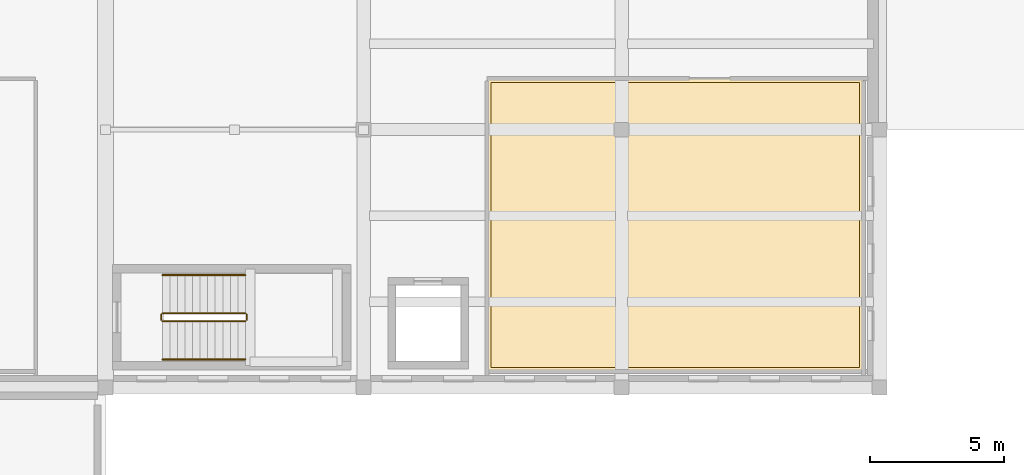
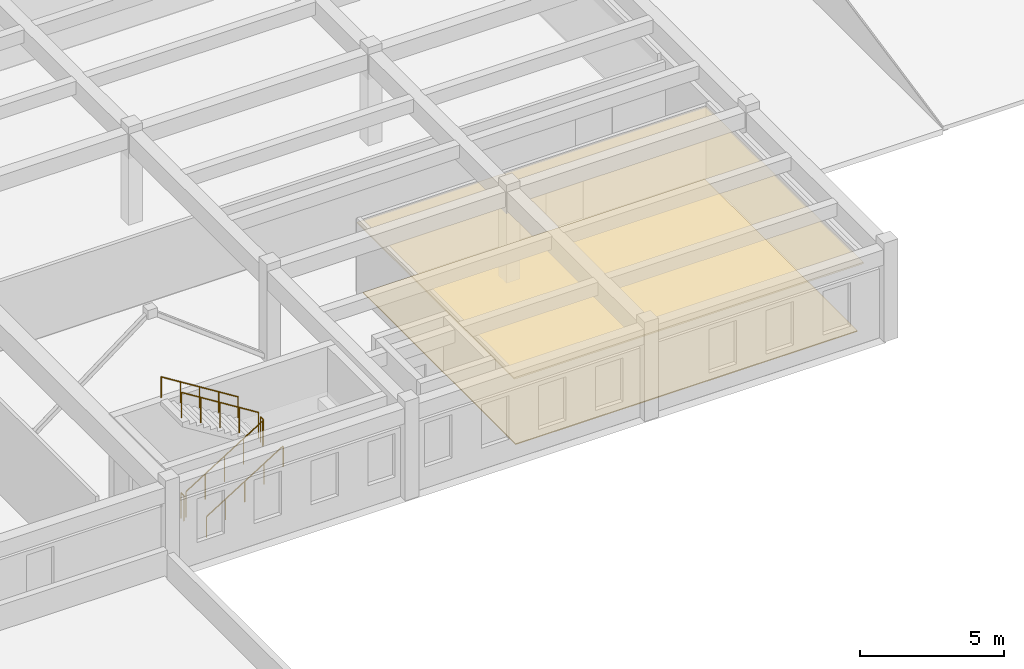
# One storey, part 35 of 46: 6 railings, 2 coverings.
"""IFC4 building model written with IfcOpenShell, lengths in metres."""

from ifc_helpers import new_model, si_unit, direction, frame, origin, origin_2d, place, context, subcontext, project, spatial, polyline, circle, outline, extrude, material, layer, layer_set, type_object, element, save


model = new_model("IFC4")

# Units and contexts
model_context = context("Model", 3, precision=1e-05, world=origin(), true_north=direction((0.0, 1.0)))
body_context = subcontext(model_context, "Body", "Model", "MODEL_VIEW")
ifc_project = project(units=[si_unit("LENGTHUNIT", "METRE"), si_unit("AREAUNIT", "SQUARE_METRE"), si_unit("VOLUMEUNIT", "CUBIC_METRE"), si_unit("PLANEANGLEUNIT", "RADIAN"), si_unit("MASSUNIT", "GRAM", prefix="KILO")], contexts=[model_context])

# Site, building, storey
site_placement = place(None, origin())
site = spatial("IfcSite", under=ifc_project, at=site_placement, CompositionType="ELEMENT")
building_placement = place(site_placement, origin())
building = spatial("IfcBuilding", under=site, at=building_placement, Name="Tarnavel Promenade Courthouse", CompositionType="ELEMENT")
storey_placement = place(building_placement, frame((0.0, 0.0, 14.39990234375)))
storey = spatial("IfcBuildingStorey", under=building, at=storey_placement, Name="L04", CompositionType="ELEMENT", Elevation=14.39990234375)

# Railings
ifc_material_1 = material(Name="Brushed Bronze Tubular Stair Handrail")
railing_type_1 = type_object("IfcRailingType", Name="Brushed Bronze Tubular Stair Handrail (RL-HND-0900)", PredefinedType="HANDRAIL", material=ifc_material_1)
railing_1_placement = place(storey_placement, frame((11.719970703125, 38.25, 0.175048828125)))
element("IfcRailing", 1, at=railing_1_placement, inside=storey, type_object=railing_type_1, Name="L04 ST-05 stair handrail 1", PredefinedType="HANDRAIL", context=body_context, shape_type="SweptSolid", body=[
    extrude(circle(Radius=0.02392578125, at=origin_2d()), frame((0.0, 0.0, 0.8759765625), z_axis=(0.847998304005, 0.0, 0.529998940003), x_axis=(0.0, 1.0, 0.0)), (0.0, 0.0, 1.0), 3.632080078125),
    extrude(circle(Radius=0.02099609375, at=origin_2d()), origin(), (0.0, 0.0, 1.0), 0.851806640625),
    extrude(circle(Radius=0.02099609375, at=origin_2d()), frame((0.77001953125, 0.0, 0.481201171875)), (0.0, 0.0, 1.0), 0.851806640625),
    extrude(circle(Radius=0.02099609375, at=origin_2d()), frame((1.5400390625, 0.0, 0.96240234375)), (0.0, 0.0, 1.0), 0.851806640625),
    extrude(circle(Radius=0.02099609375, at=origin_2d()), frame((2.31005859375, 0.0, 1.44384765625)), (0.0, 0.0, 1.0), 0.851806640625),
    extrude(circle(Radius=0.02099609375, at=origin_2d()), frame((3.080078125, 0.0, 1.925048828125)), (0.0, 0.0, 1.0), 0.851806640625),
])
railing_2_placement = place(storey_placement, frame((14.800048828125, 41.389892578125, 2.275146484375)))
element("IfcRailing", 2, at=railing_2_placement, inside=storey, type_object=railing_type_1, Name="L04 ST-05 stair handrail 2", PredefinedType="HANDRAIL", context=body_context, shape_type="SweptSolid", body=[
    extrude(circle(Radius=0.02392578125, at=origin_2d()), frame((0.0, 0.0, 0.8759765625), z_axis=(-0.847998304005, 0.0, 0.529998940003), x_axis=(0.0, -1.0, 0.0)), (0.0, 0.0, 1.0), 3.632080078125),
    extrude(circle(Radius=0.02099609375, at=origin_2d()), origin(), (0.0, 0.0, 1.0), 0.851806640625),
    extrude(circle(Radius=0.02099609375, at=origin_2d()), frame((-0.77001953125, 0.0, 0.481201171875)), (0.0, 0.0, 1.0), 0.851806640625),
    extrude(circle(Radius=0.02099609375, at=origin_2d()), frame((-1.5400390625, 0.0, 0.96240234375)), (0.0, 0.0, 1.0), 0.851806640625),
    extrude(circle(Radius=0.02099609375, at=origin_2d()), frame((-2.31005859375, 0.0, 1.44384765625)), (0.0, 0.0, 1.0), 0.851806640625),
    extrude(circle(Radius=0.02099609375, at=origin_2d()), frame((-3.080078125, 0.0, 1.925048828125)), (0.0, 0.0, 1.0), 0.851806640625),
])

# Covering
ifc_material_2 = material(Name="Honed Khoriatis Marble and Terrazzo Civic Flooring", Category="masonry")
ifc_layer_1 = layer(ifc_material_2, 0.0400390625)
ifc_layer_set_1 = layer_set([ifc_layer_1], Name="Honed Khoriatis Marble and Terrazzo Civic Flooring")
covering_type_1 = type_object("IfcCoveringType", Name="Honed Khoriatis Marble and Terrazzo Civic Flooring (COV-FLR-TRZ-40)", PredefinedType="FLOORING", material=ifc_layer_set_1)
covering_1_placement = place(storey_placement, origin())
element("IfcCovering", 3, at=covering_1_placement, inside=storey, type_object=covering_type_1, Name="L04 Law Library Book Stacks International Treaties Architectural Flooring 0028", PredefinedType="FLOORING", context=body_context, shape_type="SweptSolid", body=[
    extrude(outline(polyline([(23.949951171875, 37.949951171875), (37.64990234375, 37.949951171875), (37.64990234375, 48.550048828125), (23.949951171875, 48.550048828125), (23.949951171875, 37.949951171875)])), origin(), (0.0, 0.0, 1.0), 0.0400390625),
])

# Railings
ifc_material_3 = material(Name="Painted Architectural Steel Core Stair Guardrail", Category="steel")
railing_type_2 = type_object("IfcRailingType", Name="Painted Architectural Steel Core Stair Guardrail (RL-GRD-1100)", PredefinedType="GUARDRAIL", material=ifc_material_3)
railing_3_placement = place(storey_placement, frame((11.719970703125, 39.669921875, 0.175048828125)))
element("IfcRailing", 4, at=railing_3_placement, inside=storey, type_object=railing_type_2, Name="L04 ST-05 stair guard 1", PredefinedType="GUARDRAIL", context=body_context, shape_type="SweptSolid", body=[
    extrude(circle(Radius=0.02392578125, at=origin_2d()), frame((0.0, 0.0, 1.076171875), z_axis=(0.847998304005, 0.0, 0.529998940003), x_axis=(0.0, 1.0, 0.0)), (0.0, 0.0, 1.0), 3.632080078125),
    extrude(circle(Radius=0.02099609375, at=origin_2d()), origin(), (0.0, 0.0, 1.0), 1.052001953125),
    extrude(circle(Radius=0.02099609375, at=origin_2d()), frame((0.77001953125, 0.0, 0.481201171875)), (0.0, 0.0, 1.0), 1.052001953125),
    extrude(circle(Radius=0.02099609375, at=origin_2d()), frame((1.5400390625, 0.0, 0.96240234375)), (0.0, 0.0, 1.0), 1.052001953125),
    extrude(circle(Radius=0.02099609375, at=origin_2d()), frame((2.31005859375, 0.0, 1.44384765625)), (0.0, 0.0, 1.0), 1.052001953125),
    extrude(circle(Radius=0.02099609375, at=origin_2d()), frame((3.080078125, 0.0, 1.925048828125)), (0.0, 0.0, 1.0), 1.052001953125),
])
railing_4_placement = place(storey_placement, frame((14.85009765625, 39.719970703125, 2.10009765625)))
element("IfcRailing", 5, at=railing_4_placement, inside=storey, type_object=railing_type_2, Name="L04 ST-05 stair guard 2", PredefinedType="GUARDRAIL", context=body_context, shape_type="SweptSolid", body=[
    extrude(circle(Radius=0.02392578125, at=origin_2d()), frame((0.0, 0.0, 1.076171875), z_axis=(0.0, 1.0, 0.0), x_axis=(-1.0, 0.0, 0.0)), (0.0, 0.0, 1.0), 0.199951171875),
    extrude(circle(Radius=0.02099609375, at=origin_2d()), origin(), (0.0, 0.0, 1.0), 1.052001953125),
    extrude(circle(Radius=0.02099609375, at=origin_2d()), frame((0.0, 0.199951171875, 0.0)), (0.0, 0.0, 1.0), 1.052001953125),
])
railing_5_placement = place(storey_placement, frame((14.800048828125, 39.969970703125, 2.275146484375)))
element("IfcRailing", 6, at=railing_5_placement, inside=storey, type_object=railing_type_2, Name="L04 ST-05 stair guard 3", PredefinedType="GUARDRAIL", context=body_context, shape_type="SweptSolid", body=[
    extrude(circle(Radius=0.02392578125, at=origin_2d()), frame((0.0, 0.0, 1.076171875), z_axis=(-0.847998304005, 0.0, 0.529998940003), x_axis=(0.0, -1.0, 0.0)), (0.0, 0.0, 1.0), 3.632080078125),
    extrude(circle(Radius=0.02099609375, at=origin_2d()), origin(), (0.0, 0.0, 1.0), 1.052001953125),
    extrude(circle(Radius=0.02099609375, at=origin_2d()), frame((-0.77001953125, 0.0, 0.481201171875)), (0.0, 0.0, 1.0), 1.052001953125),
    extrude(circle(Radius=0.02099609375, at=origin_2d()), frame((-1.5400390625, 0.0, 0.96240234375)), (0.0, 0.0, 1.0), 1.052001953125),
    extrude(circle(Radius=0.02099609375, at=origin_2d()), frame((-2.31005859375, 0.0, 1.44384765625)), (0.0, 0.0, 1.0), 1.052001953125),
    extrude(circle(Radius=0.02099609375, at=origin_2d()), frame((-3.080078125, 0.0, 1.925048828125)), (0.0, 0.0, 1.0), 1.052001953125),
])
railing_6_placement = place(storey_placement, frame((11.669921875, 39.719970703125, 0.0)))
element("IfcRailing", 7, at=railing_6_placement, inside=storey, type_object=railing_type_2, Name="L04 ST-05 stair guard 4", PredefinedType="GUARDRAIL", context=body_context, shape_type="SweptSolid", body=[
    extrude(circle(Radius=0.02392578125, at=origin_2d()), frame((0.0, 0.0, 1.076171875), z_axis=(0.0, 1.0, 0.0), x_axis=(-1.0, 0.0, 0.0)), (0.0, 0.0, 1.0), 0.199951171875),
    extrude(circle(Radius=0.02099609375, at=origin_2d()), origin(), (0.0, 0.0, 1.0), 1.052001953125),
    extrude(circle(Radius=0.02099609375, at=origin_2d()), frame((0.0, 0.199951171875, 0.0)), (0.0, 0.0, 1.0), 1.052001953125),
])

# Covering
ifc_material_4 = material(Name="Slatted Acoustic White Oak Baffle Ceiling")
ifc_layer_2 = layer(ifc_material_4, 0.06494140625)
ifc_layer_set_2 = layer_set([ifc_layer_2], Name="Slatted Acoustic White Oak Baffle Ceiling")
covering_type_2 = type_object("IfcCoveringType", Name="Slatted Acoustic White Oak Baffle Ceiling (COV-CLG-OAK-65)", PredefinedType="CEILING", material=ifc_layer_set_2)
covering_2_placement = place(storey_placement, frame((0.0, 0.0, 2.9150390625)))
element("IfcCovering", 8, at=covering_2_placement, inside=storey, type_object=covering_type_2, Name="L04 Law Library Book Stacks International Treaties Acoustic Ceiling 0028", PredefinedType="CEILING", context=body_context, shape_type="SweptSolid", body=[
    extrude(outline(polyline([(23.800048828125, 37.800048828125), (37.800048828125, 37.800048828125), (37.800048828125, 48.699951171875), (23.800048828125, 48.699951171875), (23.800048828125, 37.800048828125)])), origin(), (0.0, 0.0, 1.0), 0.06494140625),
])

save(model, "model.ifc")
